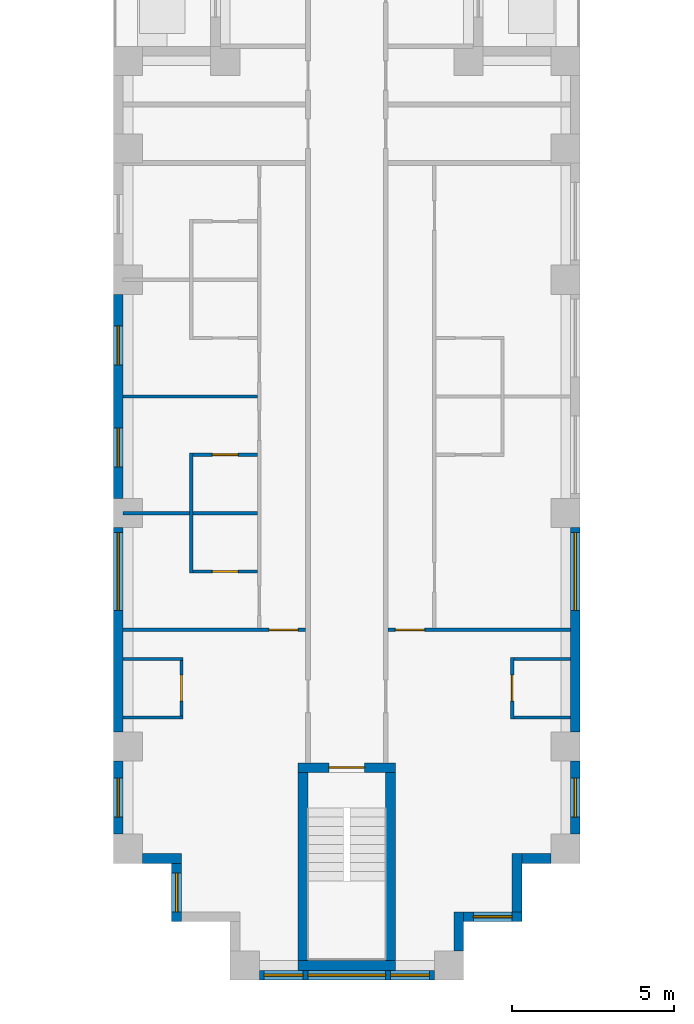
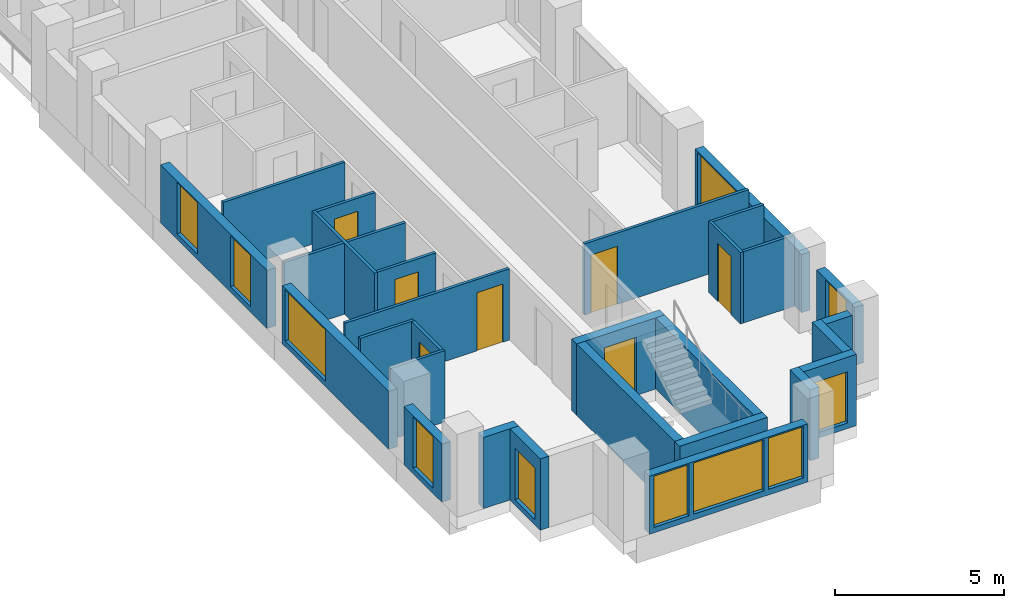
# One storey, part 3 of 13: 29 walls, 11 windows, 7 doors, 18 openings.
"""IFC4 building model written with IfcOpenShell, lengths in metres."""

import ifcopenshell
import ifcopenshell.guid

model = None  # the IFC model being written
_history = None  # IfcOwnerHistory: only IFC2X3 demands one
_inside = {}  # id of a spatial element -> (the spatial element, [elements in it])
_under = {}  # id of a project, library or spatial element -> (it, [spatial elements below it])
_declared = {}  # id of a project -> (the project, [libraries it declares])
_typed = {}  # id of a type object -> (the type object, [elements of that type])
_made_of = {}  # id of a material, layer set ... -> (it, [elements and type objects made of it])


def new_model(schema):
    """Start an empty IFC model of exactly this schema.

    Asked for "IFC4X3", IfcOpenShell would pick the latest addendum, in which some entities
    have other attributes; the version numbers below select the first issue.
    IFC2X3 requires an IfcOwnerHistory on every rooted entity: one is made here for all.
    """
    global model, _history
    if schema == "IFC4X3":
        model = ifcopenshell.file(schema_version=(4, 3, 0, 0))
    else:
        model = ifcopenshell.file(schema=schema)
    _inside.clear()
    _under.clear()
    _declared.clear()
    _typed.clear()
    _made_of.clear()
    _history = None
    if model.schema == "IFC2X3":
        org = make("IfcOrganization", Name="unknown")
        user = make(
            "IfcPersonAndOrganization",
            ThePerson=make("IfcPerson", FamilyName="unknown"),
            TheOrganization=org,
        )
        app = make(
            "IfcApplication",
            ApplicationDeveloper=org,
            Version="unknown",
            ApplicationFullName="unknown",
            ApplicationIdentifier="unknown",
        )
        _history = make(
            "IfcOwnerHistory",
            OwningUser=user,
            OwningApplication=app,
            ChangeAction="ADDED",
            CreationDate=0,
        )
    return model


def make(cls, **values):
    """One entity of the class cls with the attributes given. An attribute that is None is left unset."""
    return model.create_entity(
        cls, **{name: value for name, value in values.items() if value is not None}
    )


def rooted(cls, **values):
    """An entity with a GlobalId (a new one), such as an element, a storey or a relation."""
    return make(cls, GlobalId=ifcopenshell.guid.new(), OwnerHistory=_history, **values)


def si_unit(unit_type, name, prefix=None):
    """IfcSIUnit, for example si_unit("LENGTHUNIT", "METRE", prefix="MILLI")."""
    return make("IfcSIUnit", UnitType=unit_type, Prefix=prefix, Name=name)


def assignment(units):
    """IfcUnitAssignment: the units of a project."""
    return None if units is None else make("IfcUnitAssignment", Units=units)


def point(xyz):
    """IfcCartesianPoint."""
    return None if xyz is None else make("IfcCartesianPoint", Coordinates=xyz)


def direction(xyz):
    """IfcDirection."""
    return None if xyz is None else make("IfcDirection", DirectionRatios=xyz)


def frame(location, z_axis=None, x_axis=None):
    """IfcAxis2Placement3D, a coordinate frame: its origin and axes. An axis left out is left unset."""
    return make(
        "IfcAxis2Placement3D",
        Location=point(location),
        Axis=direction(z_axis),
        RefDirection=direction(x_axis),
    )


def frame_2d(location, x_axis=None):
    """IfcAxis2Placement2D, a coordinate frame in the plane: its origin and x axis."""
    return make(
        "IfcAxis2Placement2D", Location=point(location), RefDirection=direction(x_axis)
    )


def origin():
    """The frame at (0, 0, 0) with its axes left unset."""
    return frame((0.0, 0.0, 0.0))


def place(relative_to, where):
    """IfcLocalPlacement: puts the frame where relative to a parent placement (None: the world)."""
    return make(
        "IfcLocalPlacement", PlacementRelTo=relative_to, RelativePlacement=where
    )


def context(
    kind, dimensions, precision=None, world=None, true_north=None, identifier=None
):
    """IfcGeometricRepresentationContext, for example the 3D "Model" context."""
    return make(
        "IfcGeometricRepresentationContext",
        ContextIdentifier=identifier,
        ContextType=kind,
        CoordinateSpaceDimension=dimensions,
        Precision=precision,
        WorldCoordinateSystem=world,
        TrueNorth=true_north,
    )


def subcontext(parent, identifier, kind, view, scale=None):
    """IfcGeometricRepresentationSubContext, for example "Body" below "Model"."""
    return make(
        "IfcGeometricRepresentationSubContext",
        ContextIdentifier=identifier,
        ContextType=kind,
        ParentContext=parent,
        TargetScale=scale,
        TargetView=view,
    )


def project(units=None, contexts=None):
    """IfcProject with its units and contexts."""
    return rooted(
        "IfcProject",
        Name="project",
        RepresentationContexts=contexts,
        UnitsInContext=assignment(units),
    )


def spatial(cls, under=None, at=None, **own):
    """A site, building, storey or space (cls), placed at a placement, below another one or the project."""
    s = rooted(cls, ObjectPlacement=at, **own)
    if under is not None:
        _under.setdefault(under.id(), (under, []))[1].append(s)
    return s


def profile(cls, at=None, kind="AREA", **sizes):
    """A parametric profile (cls). Its sizes go by their IFC names, for example OverallWidth=200.0."""
    return make(cls, ProfileType=kind, Position=at, **sizes)


def rectangle(**sizes):
    """IfcRectangleProfileDef."""
    return profile("IfcRectangleProfileDef", **sizes)


def extrude(swept, where, along, depth):
    """IfcExtrudedAreaSolid: the profile swept, set in the frame where, extruded along a direction by depth."""
    return make(
        "IfcExtrudedAreaSolid",
        SweptArea=swept,
        Position=where,
        ExtrudedDirection=direction(along),
        Depth=depth,
    )


def shape(context_of_items, identifier, shape_type, items):
    """IfcShapeRepresentation: the items that make up one representation, for example the "Body"."""
    return make(
        "IfcShapeRepresentation",
        ContextOfItems=context_of_items,
        RepresentationIdentifier=identifier,
        RepresentationType=shape_type,
        Items=items,
    )


def material(Name=None, Category=None):
    """IfcMaterial."""
    return make("IfcMaterial", Name=Name, Category=Category)


def layer(
    of_material, thickness, ventilated=None, Name=None, Category=None, Priority=None
):
    """IfcMaterialLayer: one layer of a wall or slab, of a material (None: an air gap)."""
    return make(
        "IfcMaterialLayer",
        Material=of_material,
        LayerThickness=thickness,
        IsVentilated=ventilated,
        Name=Name,
        Category=Category,
        Priority=Priority,
    )


def layer_set(layers, Name=None):
    """IfcMaterialLayerSet."""
    return make("IfcMaterialLayerSet", MaterialLayers=layers, LayerSetName=Name)


def made_of(thing, what):
    """Note that an element or type object is made of a material, layer set ...; save() writes the relation."""
    if what is not None:
        _made_of.setdefault(what.id(), (what, []))[1].append(thing)
    return thing


def type_object(cls, material=None, **own):
    """A type object (cls), such as IfcWallType, which elements share."""
    return made_of(rooted(cls, **own), material)


def element(
    cls,
    number,
    at=None,
    inside=None,
    cuts=None,
    type_object=None,
    material=None,
    context=None,
    identifier="Body",
    shape_type=None,
    held_by="IfcProductDefinitionShape",
    body=None,
    shapes=None,
    **own,
):
    """One element of the class cls, such as IfcWall. Its Tag is "e" and its number.

    at: its placement. inside: the storey or other place that contains it. cuts: it is an
    opening in that element (IfcRelVoidsElement). A single representation is given by context,
    identifier, shape_type and body (its items); several are given by shapes. held_by: the class
    of the entity that holds the representations. save() writes the other relations.
    """
    e = rooted(cls, Tag="e%d" % number, ObjectPlacement=at, **own)
    if body is not None:
        shapes = [shape(context, identifier, shape_type, body)]
    if shapes is not None:
        e.Representation = make(held_by, Representations=shapes)
    if inside is not None:
        _inside.setdefault(inside.id(), (inside, []))[1].append(e)
    if cuts is not None:
        rooted(
            "IfcRelVoidsElement", RelatingBuildingElement=cuts, RelatedOpeningElement=e
        )
    if type_object is not None:
        _typed.setdefault(type_object.id(), (type_object, []))[1].append(e)
    return made_of(e, material)


def fill(opening, filler):
    """IfcRelFillsElement: the door or window that sits in an opening."""
    return rooted(
        "IfcRelFillsElement",
        RelatingOpeningElement=opening,
        RelatedBuildingElement=filler,
    )


def aggregate(whole, parts):
    """IfcRelAggregates: a whole, such as a stair, and the parts it consists of."""
    return rooted("IfcRelAggregates", RelatingObject=whole, RelatedObjects=parts)


def save(model, path):
    """Write the relations noted so far, then the file.

    IfcRelAggregates (storeys below a building ...), IfcRelContainedInSpatialStructure (elements
    in a storey), IfcRelDefinesByType, IfcRelAssociatesMaterial and IfcRelDeclares: one each for
    every whole, place, type object, material and project.
    """
    for whole, parts in _under.values():
        aggregate(whole, parts)
    for where, things in _inside.values():
        rooted(
            "IfcRelContainedInSpatialStructure",
            RelatedElements=things,
            RelatingStructure=where,
        )
    for kind, things in _typed.values():
        rooted("IfcRelDefinesByType", RelatedObjects=things, RelatingType=kind)
    for what, things in _made_of.values():
        rooted("IfcRelAssociatesMaterial", RelatedObjects=things, RelatingMaterial=what)
    for by, libraries in _declared.values():
        rooted("IfcRelDeclares", RelatingContext=by, RelatedDefinitions=libraries)
    model.write(path)


model = new_model("IFC4")

# Units and contexts
model_context = context("Model", 3, precision=1e-05, world=origin(), true_north=direction((0.0, 1.0)))
body_context = subcontext(model_context, "Body", "Model", "MODEL_VIEW")
ifc_project = project(units=[si_unit("LENGTHUNIT", "METRE"), si_unit("AREAUNIT", "SQUARE_METRE"), si_unit("VOLUMEUNIT", "CUBIC_METRE"), si_unit("PLANEANGLEUNIT", "RADIAN"), si_unit("MASSUNIT", "GRAM", prefix="KILO")], contexts=[model_context])

# Site, building, storey
site_placement = place(None, origin())
site = spatial("IfcSite", under=ifc_project, at=site_placement, CompositionType="ELEMENT")
building_placement = place(site_placement, origin())
building = spatial("IfcBuilding", under=site, at=building_placement, Name="Fustian Cross Tower", CompositionType="ELEMENT")
storey_placement = place(building_placement, frame((0.0, 0.0, 105.89990234375)))
storey = spatial("IfcBuildingStorey", under=building, at=storey_placement, Name="L33", CompositionType="ELEMENT", Elevation=105.89990234375)

# Walls
ifc_material_1 = material(Name="Plasterboard on steel stud", Category="steel")
ifc_layer_1 = layer(ifc_material_1, 0.10009765625)
ifc_layer_set_1 = layer_set([ifc_layer_1], Name="Plasterboard on steel stud")
wall_type_1 = type_object("IfcWallType", Name="PARTITION 100 STUD", PredefinedType="PARTITIONING", material=ifc_layer_set_1)
for number, where, z_axis, x_axis, name in (
    (1, (-6.89990234375, -35.10009765625, 0.0), (0.0, 0.0, 1.0), (1.0, 0.0, 0.0), "Partition 15"),
    (2, (-6.89990234375, -33.300048828125, 0.0), (0.0, 0.0, 1.0), (1.0, 0.0, 0.0), "Partition 16"),
):
    element("IfcWall", number, at=place(storey_placement, frame(where, z_axis=z_axis, x_axis=x_axis)), inside=storey, type_object=wall_type_1, Name=name, PredefinedType="PARTITIONING", context=body_context, shape_type="SweptSolid", body=[
        extrude(rectangle(XDim=1.849853515625, YDim=0.10009765625, at=frame_2d((0.9248046875, 0.0))), origin(), (0.0, 0.0, 1.0), 2.5751953125),
    ])

# Wall, opening, door
wall_1_placement = place(storey_placement, frame((-6.89990234375, -32.39990234375, 0.0), z_axis=(0.0, 0.0, 1.0), x_axis=(1.0, 0.0, 0.0)))
wall_1 = element("IfcWall", 3, at=wall_1_placement, inside=storey, type_object=wall_type_1, Name="Partition 17", PredefinedType="PARTITIONING", context=body_context, shape_type="SweptSolid", body=[
    extrude(rectangle(XDim=5.625, YDim=0.10009765625, at=frame_2d((2.8125, 0.0))), origin(), (0.0, 0.0, 1.0), 2.5751953125),
])
opening_1_placement = place(wall_1_placement, frame((4.5, 0.0, 0.0)))
opening_1 = element("IfcOpeningElement", 4, at=opening_1_placement, cuts=wall_1, Name="Opening D15056", PredefinedType="OPENING", context=body_context, shape_type="SweptSolid", body=[
    extrude(rectangle(XDim=0.89990234375, YDim=2.10009765625, at=frame_2d((0.449951171875, 1.050048828125))), frame((0.0, 0.06005859375, 0.0), z_axis=(0.0, -1.0, 0.0), x_axis=(1.0, 0.0, 0.0)), (0.0, 0.0, 1.0), 0.1201171875),
])
ifc_material_2 = material(Name="Painted timber", Category="wood")
door_type_1 = type_object("IfcDoorType", Name="SWING DOOR 900", OperationType="SINGLE_SWING_LEFT", PredefinedType="DOOR", material=ifc_material_2)
door_1_placement = place(opening_1_placement, origin())
door_1 = element("IfcDoor", 5, at=door_1_placement, inside=storey, type_object=door_type_1, Name="Door D15056", OperationType="SINGLE_SWING_LEFT", OverallHeight=2.10009765625, OverallWidth=0.89990234375, PredefinedType="DOOR", context=body_context, shape_type="SweptSolid", body=[
    extrude(rectangle(XDim=0.89990234375, YDim=2.10009765625, at=frame_2d((0.449951171875, 1.050048828125))), frame((0.0, 0.02490234375, 0.0), z_axis=(0.0, -1.0, 0.0), x_axis=(1.0, 0.0, 0.0)), (0.0, 0.0, 1.0), 0.050048828125),
])
fill(opening_1, door_1)

# Walls
for number, where, z_axis, x_axis, name in (
    (6, (-6.89990234375, -28.800048828125, 0.0), (0.0, 0.0, 1.0), (1.0, 0.0, 0.0), "Partition 18"),
    (7, (-6.89990234375, -25.199951171875, 0.0), (0.0, 0.0, 1.0), (1.0, 0.0, 0.0), "Partition 19"),
):
    element("IfcWall", number, at=place(storey_placement, frame(where, z_axis=z_axis, x_axis=x_axis)), inside=storey, type_object=wall_type_1, Name=name, PredefinedType="PARTITIONING", context=body_context, shape_type="SweptSolid", body=[
        extrude(rectangle(XDim=4.14990234375, YDim=0.10009765625, at=frame_2d((2.074951171875, 0.0))), origin(), (0.0, 0.0, 1.0), 2.5751953125),
    ])

# Wall, opening, door
wall_2_placement = place(storey_placement, frame((-5.10009765625, -35.050048828125, 0.0), z_axis=(0.0, 0.0, 1.0), x_axis=(0.0, 1.0, 0.0)))
wall_2 = element("IfcWall", 8, at=wall_2_placement, inside=storey, type_object=wall_type_1, Name="Partition 24", PredefinedType="PARTITIONING", context=body_context, shape_type="SweptSolid", body=[
    extrude(rectangle(XDim=1.699951171875, YDim=0.10009765625, at=frame_2d((0.85009765625, 0.0))), origin(), (0.0, 0.0, 1.0), 2.5751953125),
])
opening_2_placement = place(wall_2_placement, frame((0.449951171875, 0.0, 0.0)))
opening_2 = element("IfcOpeningElement", 9, at=opening_2_placement, cuts=wall_2, Name="Opening D15050", PredefinedType="OPENING", context=body_context, shape_type="SweptSolid", body=[
    extrude(rectangle(XDim=0.800048828125, YDim=2.10009765625, at=frame_2d((0.39990234375, 1.050048828125))), frame((0.0, 0.06005859375, 0.0), z_axis=(0.0, -1.0, 0.0), x_axis=(1.0, 0.0, 0.0)), (0.0, 0.0, 1.0), 0.1201171875),
])
ifc_material_3 = material(Name="Painted timber", Category="wood")
door_type_2 = type_object("IfcDoorType", Name="SWING DOOR 800", OperationType="SINGLE_SWING_LEFT", PredefinedType="DOOR", material=ifc_material_3)
door_2_placement = place(opening_2_placement, origin())
door_2 = element("IfcDoor", 10, at=door_2_placement, inside=storey, type_object=door_type_2, Name="Door D15050", OperationType="SINGLE_SWING_RIGHT", OverallHeight=2.10009765625, OverallWidth=0.800048828125, PredefinedType="DOOR", context=body_context, shape_type="SweptSolid", body=[
    extrude(rectangle(XDim=0.800048828125, YDim=2.10009765625, at=frame_2d((0.39990234375, 1.050048828125))), frame((0.0, 0.02490234375, 0.0), z_axis=(0.0, -1.0, 0.0), x_axis=(1.0, 0.0, 0.0)), (0.0, 0.0, 1.0), 0.050048828125),
])
fill(opening_2, door_2)

# Wall
wall_3_placement = place(storey_placement, frame((-4.800048828125, -30.64990234375, 0.0), z_axis=(0.0, 0.0, 1.0), x_axis=(0.0, 1.0, 0.0)))
element("IfcWall", 11, at=wall_3_placement, inside=storey, type_object=wall_type_1, Name="Partition 25", PredefinedType="PARTITIONING", context=body_context, shape_type="SweptSolid", body=[
    extrude(rectangle(XDim=3.699951171875, YDim=0.10009765625, at=frame_2d((1.85009765625, 0.0))), origin(), (0.0, 0.0, 1.0), 2.5751953125),
])

# Wall, opening, door
wall_4_placement = place(storey_placement, frame((-4.75, -30.60009765625, 0.0), z_axis=(0.0, 0.0, 1.0), x_axis=(1.0, 0.0, 0.0)))
wall_4 = element("IfcWall", 12, at=wall_4_placement, inside=storey, type_object=wall_type_1, Name="Partition 26", PredefinedType="PARTITIONING", context=body_context, shape_type="SweptSolid", body=[
    extrude(rectangle(XDim=2.0, YDim=0.10009765625, at=frame_2d((1.0, 0.0))), origin(), (0.0, 0.0, 1.0), 2.5751953125),
])
opening_3_placement = place(wall_4_placement, frame((0.60009765625, 0.0, 0.0)))
opening_3 = element("IfcOpeningElement", 13, at=opening_3_placement, cuts=wall_4, Name="Opening D15060", PredefinedType="OPENING", context=body_context, shape_type="SweptSolid", body=[
    extrude(rectangle(XDim=0.800048828125, YDim=2.10009765625, at=frame_2d((0.39990234375, 1.050048828125))), frame((0.0, 0.06005859375, 0.0), z_axis=(0.0, -1.0, 0.0), x_axis=(1.0, 0.0, 0.0)), (0.0, 0.0, 1.0), 0.1201171875),
])
door_3_placement = place(opening_3_placement, origin())
door_3 = element("IfcDoor", 14, at=door_3_placement, inside=storey, type_object=door_type_2, Name="Door D15060", OperationType="SINGLE_SWING_LEFT", OverallHeight=2.10009765625, OverallWidth=0.800048828125, PredefinedType="DOOR", context=body_context, shape_type="SweptSolid", body=[
    extrude(rectangle(XDim=0.800048828125, YDim=2.10009765625, at=frame_2d((0.39990234375, 1.050048828125))), frame((0.0, 0.02490234375, 0.0), z_axis=(0.0, -1.0, 0.0), x_axis=(1.0, 0.0, 0.0)), (0.0, 0.0, 1.0), 0.050048828125),
])
fill(opening_3, door_3)

wall_5_placement = place(storey_placement, frame((-4.75, -27.0, 0.0), z_axis=(0.0, 0.0, 1.0), x_axis=(1.0, 0.0, 0.0)))
wall_5 = element("IfcWall", 15, at=wall_5_placement, inside=storey, type_object=wall_type_1, Name="Partition 27", PredefinedType="PARTITIONING", context=body_context, shape_type="SweptSolid", body=[
    extrude(rectangle(XDim=2.0, YDim=0.10009765625, at=frame_2d((1.0, 0.0))), origin(), (0.0, 0.0, 1.0), 2.5751953125),
])
opening_4_placement = place(wall_5_placement, frame((0.60009765625, 0.0, 0.0)))
opening_4 = element("IfcOpeningElement", 16, at=opening_4_placement, cuts=wall_5, Name="Opening D15059", PredefinedType="OPENING", context=body_context, shape_type="SweptSolid", body=[
    extrude(rectangle(XDim=0.800048828125, YDim=2.10009765625, at=frame_2d((0.39990234375, 1.050048828125))), frame((0.0, 0.06005859375, 0.0), z_axis=(0.0, -1.0, 0.0), x_axis=(1.0, 0.0, 0.0)), (0.0, 0.0, 1.0), 0.1201171875),
])
door_4_placement = place(opening_4_placement, frame((0.800048828125, 0.0, 0.0), z_axis=(0.0, 0.0, 1.0), x_axis=(-1.0, 0.0, 0.0)))
door_4 = element("IfcDoor", 17, at=door_4_placement, inside=storey, type_object=door_type_2, Name="Door D15059", OperationType="SINGLE_SWING_RIGHT", OverallHeight=2.10009765625, OverallWidth=0.800048828125, PredefinedType="DOOR", context=body_context, shape_type="SweptSolid", body=[
    extrude(rectangle(XDim=0.800048828125, YDim=2.10009765625, at=frame_2d((0.39990234375, 1.050048828125))), frame((0.0, 0.02490234375, 0.0), z_axis=(0.0, -1.0, 0.0), x_axis=(1.0, 0.0, 0.0)), (0.0, 0.0, 1.0), 0.050048828125),
])
fill(opening_4, door_4)

wall_6_placement = place(storey_placement, frame((1.27490234375, -32.39990234375, 0.0), z_axis=(0.0, 0.0, 1.0), x_axis=(1.0, 0.0, 0.0)))
wall_6 = element("IfcWall", 18, at=wall_6_placement, inside=storey, type_object=wall_type_1, Name="Partition 44", PredefinedType="PARTITIONING", context=body_context, shape_type="SweptSolid", body=[
    extrude(rectangle(XDim=5.625, YDim=0.10009765625, at=frame_2d((2.8125, 0.0))), origin(), (0.0, 0.0, 1.0), 2.5751953125),
])
opening_5_placement = place(wall_6_placement, frame((0.22509765625, 0.0, 0.0)))
opening_5 = element("IfcOpeningElement", 19, at=opening_5_placement, cuts=wall_6, Name="Opening D15042", PredefinedType="OPENING", context=body_context, shape_type="SweptSolid", body=[
    extrude(rectangle(XDim=0.89990234375, YDim=2.10009765625, at=frame_2d((0.449951171875, 1.050048828125))), frame((0.0, 0.06005859375, 0.0), z_axis=(0.0, -1.0, 0.0), x_axis=(1.0, 0.0, 0.0)), (0.0, 0.0, 1.0), 0.1201171875),
])
door_5_placement = place(opening_5_placement, origin())
door_5 = element("IfcDoor", 20, at=door_5_placement, inside=storey, type_object=door_type_1, Name="Door D15042", OperationType="SINGLE_SWING_LEFT", OverallHeight=2.10009765625, OverallWidth=0.89990234375, PredefinedType="DOOR", context=body_context, shape_type="SweptSolid", body=[
    extrude(rectangle(XDim=0.89990234375, YDim=2.10009765625, at=frame_2d((0.449951171875, 1.050048828125))), frame((0.0, 0.02490234375, 0.0), z_axis=(0.0, -1.0, 0.0), x_axis=(1.0, 0.0, 0.0)), (0.0, 0.0, 1.0), 0.050048828125),
])
fill(opening_5, door_5)

wall_7_placement = place(storey_placement, frame((5.10009765625, -35.14990234375, 0.0), z_axis=(0.0, 0.0, 1.0), x_axis=(0.0, 1.0, 0.0)))
wall_7 = element("IfcWall", 21, at=wall_7_placement, inside=storey, type_object=wall_type_1, Name="Partition 66", PredefinedType="PARTITIONING", context=body_context, shape_type="SweptSolid", body=[
    extrude(rectangle(XDim=1.89990234375, YDim=0.10009765625, at=frame_2d((0.949951171875, 0.0))), origin(), (0.0, 0.0, 1.0), 2.5751953125),
])
opening_6_placement = place(wall_7_placement, frame((0.550048828125, 0.0, 0.0)))
opening_6 = element("IfcOpeningElement", 22, at=opening_6_placement, cuts=wall_7, Name="Opening D15040", PredefinedType="OPENING", context=body_context, shape_type="SweptSolid", body=[
    extrude(rectangle(XDim=0.800048828125, YDim=2.10009765625, at=frame_2d((0.39990234375, 1.050048828125))), frame((0.0, 0.06005859375, 0.0), z_axis=(0.0, -1.0, 0.0), x_axis=(1.0, 0.0, 0.0)), (0.0, 0.0, 1.0), 0.1201171875),
])
door_6_placement = place(opening_6_placement, frame((0.800048828125, 0.0, 0.0), z_axis=(0.0, 0.0, 1.0), x_axis=(-1.0, 0.0, 0.0)))
door_6 = element("IfcDoor", 23, at=door_6_placement, inside=storey, type_object=door_type_2, Name="Door D15040", OperationType="SINGLE_SWING_LEFT", OverallHeight=2.10009765625, OverallWidth=0.800048828125, PredefinedType="DOOR", context=body_context, shape_type="SweptSolid", body=[
    extrude(rectangle(XDim=0.800048828125, YDim=2.10009765625, at=frame_2d((0.39990234375, 1.050048828125))), frame((0.0, 0.02490234375, 0.0), z_axis=(0.0, -1.0, 0.0), x_axis=(1.0, 0.0, 0.0)), (0.0, 0.0, 1.0), 0.050048828125),
])
fill(opening_6, door_6)

# Walls
for number, where, z_axis, x_axis, name in (
    (24, (5.14990234375, -35.10009765625, 0.0), (0.0, 0.0, 1.0), (1.0, 0.0, 0.0), "Partition 67"),
    (25, (5.14990234375, -33.300048828125, 0.0), (0.0, 0.0, 1.0), (1.0, 0.0, 0.0), "Partition 68"),
):
    element("IfcWall", number, at=place(storey_placement, frame(where, z_axis=z_axis, x_axis=x_axis)), inside=storey, type_object=wall_type_1, Name=name, PredefinedType="PARTITIONING", context=body_context, shape_type="SweptSolid", body=[
        extrude(rectangle(XDim=1.75, YDim=0.10009765625, at=frame_2d((0.875, 0.0))), origin(), (0.0, 0.0, 1.0), 2.5751953125),
    ])

# Wall, opening, door
ifc_material_4 = material(Name="Concrete C50/60", Category="concrete")
ifc_layer_2 = layer(ifc_material_4, 0.300048828125)
ifc_layer_set_2 = layer_set([ifc_layer_2], Name="Concrete C50/60")
wall_type_2 = type_object("IfcWallType", Name="STAIR ENCLOSURE WALL 300 C50/60", PredefinedType="SHEAR", material=ifc_layer_set_2)
wall_8_placement = place(storey_placement, frame((-1.5, -36.64990234375, 0.0), z_axis=(0.0, 0.0, 1.0), x_axis=(1.0, 0.0, 0.0)))
wall_8 = element("IfcWall", 26, at=wall_8_placement, inside=storey, type_object=wall_type_2, Name="Stair enclosure wall", PredefinedType="SHEAR", context=body_context, shape_type="SweptSolid", body=[
    extrude(rectangle(XDim=3.0, YDim=0.300048828125, at=frame_2d((1.5, 0.0))), origin(), (0.0, 0.0, 1.0), 2.5751953125),
])
opening_7_placement = place(wall_8_placement, frame((0.949951171875, 0.0, 0.0)))
opening_7 = element("IfcOpeningElement", 27, at=opening_7_placement, cuts=wall_8, Name="Opening CD-10-31", PredefinedType="OPENING", context=body_context, shape_type="SweptSolid", body=[
    extrude(rectangle(XDim=1.10009765625, YDim=2.10009765625, at=frame_2d((0.550048828125, 1.050048828125))), frame((0.0, 0.159912109375, 0.0), z_axis=(0.0, -1.0, 0.0), x_axis=(1.0, 0.0, 0.0)), (0.0, 0.0, 1.0), 0.320068359375),
])
ifc_material_5 = material(Name="Steel", Category="steel")
door_type_3 = type_object("IfcDoorType", Name="FIRE DOOR FD60S 1100X2100", OperationType="SINGLE_SWING_LEFT", PredefinedType="DOOR", material=ifc_material_5)
door_7_placement = place(opening_7_placement, frame((1.10009765625, 0.0, 0.0), z_axis=(0.0, 0.0, 1.0), x_axis=(-1.0, 0.0, 0.0)))
door_7 = element("IfcDoor", 28, at=door_7_placement, inside=storey, type_object=door_type_3, Name="Core door CD-10-31", OperationType="SINGLE_SWING_RIGHT", OverallHeight=2.10009765625, OverallWidth=1.10009765625, PredefinedType="DOOR", context=body_context, shape_type="SweptSolid", body=[
    extrude(rectangle(XDim=1.10009765625, YDim=2.10009765625, at=frame_2d((0.550048828125, 1.050048828125))), frame((0.0, 0.02490234375, 0.0), z_axis=(0.0, -1.0, 0.0), x_axis=(1.0, 0.0, 0.0)), (0.0, 0.0, 1.0), 0.050048828125),
])
fill(opening_7, door_7)

# Walls
wall_9_placement = place(storey_placement, frame((-1.5, -42.75, 0.0), z_axis=(0.0, 0.0, 1.0), x_axis=(1.0, 0.0, 0.0)))
element("IfcWall", 29, at=wall_9_placement, inside=storey, type_object=wall_type_2, Name="Stair enclosure wall", PredefinedType="SHEAR", context=body_context, shape_type="SweptSolid", body=[
    extrude(rectangle(XDim=3.0, YDim=0.300048828125, at=frame_2d((1.5, 0.0))), origin(), (0.0, 0.0, 1.0), 2.5751953125),
])
for number, where, z_axis, x_axis, name in (
    (30, (-1.35009765625, -36.800048828125, 0.0), (0.0, 0.0, 1.0), (0.0, -1.0, 0.0), "Stair enclosure wall"),
    (31, (1.35009765625, -36.800048828125, 0.0), (0.0, 0.0, 1.0), (0.0, -1.0, 0.0), "Stair enclosure wall"),
):
    element("IfcWall", number, at=place(storey_placement, frame(where, z_axis=z_axis, x_axis=x_axis)), inside=storey, type_object=wall_type_2, Name=name, PredefinedType="SHEAR", context=body_context, shape_type="SweptSolid", body=[
        extrude(rectangle(XDim=5.800048828125, YDim=0.300048828125, at=frame_2d((2.89990234375, 0.0))), origin(), (0.0, 0.0, 1.0), 2.5751953125),
    ])

# Wall, openings, windows
ifc_material_6 = material(Name="Dark aluminium cladding on insulated backing wall", Category="aluminium")
ifc_layer_3 = layer(ifc_material_6, 0.300048828125)
ifc_layer_set_3 = layer_set([ifc_layer_3], Name="Dark aluminium cladding on insulated backing wall")
wall_type_3 = type_object("IfcWallType", Name="XW1 EXTERNAL WALL 300", PredefinedType="SOLIDWALL", material=ifc_layer_set_3)
wall_10_placement = place(storey_placement, frame((-7.050048828125, -22.050048828125, 0.0), z_axis=(0.0, 0.0, 1.0), x_axis=(0.0, -1.0, 0.0)))
wall_10 = element("IfcWall", 32, at=wall_10_placement, inside=storey, type_object=wall_type_3, Name="External wall", PredefinedType="SOLIDWALL", context=body_context, shape_type="SweptSolid", body=[
    extrude(rectangle(XDim=6.300048828125, YDim=0.300048828125, at=frame_2d((3.14990234375, 0.0))), origin(), (0.0, 0.0, 1.0), 2.10009765625),
])
opening_8_placement = place(wall_10_placement, frame((0.97509765625, 0.0, 0.199951171875)))
opening_8 = element("IfcOpeningElement", 33, at=opening_8_placement, cuts=wall_10, Name="Opening WN3", PredefinedType="OPENING", context=body_context, shape_type="SweptSolid", body=[
    extrude(rectangle(XDim=1.199951171875, YDim=1.85009765625, at=frame_2d((0.60009765625, 0.925048828125))), frame((0.0, 0.159912109375, 0.0), z_axis=(0.0, -1.0, 0.0), x_axis=(1.0, 0.0, 0.0)), (0.0, 0.0, 1.0), 0.320068359375),
])
opening_9_placement = place(wall_10_placement, frame((4.125, 0.0, 0.199951171875)))
opening_9 = element("IfcOpeningElement", 34, at=opening_9_placement, cuts=wall_10, Name="Opening WN3", PredefinedType="OPENING", context=body_context, shape_type="SweptSolid", body=[
    extrude(rectangle(XDim=1.199951171875, YDim=1.85009765625, at=frame_2d((0.60009765625, 0.925048828125))), frame((0.0, 0.159912109375, 0.0), z_axis=(0.0, -1.0, 0.0), x_axis=(1.0, 0.0, 0.0)), (0.0, 0.0, 1.0), 0.320068359375),
])
ifc_material_7 = material(Name="Dark anodised aluminium and double glazing", Category="aluminium")
window_type_1 = type_object("IfcWindowType", Name="WN3 WINDOW 1200X1850", PartitioningType="SINGLE_PANEL", PredefinedType="WINDOW", material=ifc_material_7)
window_1_placement = place(opening_8_placement, origin())
window_1 = element("IfcWindow", 35, at=window_1_placement, inside=storey, type_object=window_type_1, Name="Window", OverallHeight=1.85009765625, OverallWidth=1.199951171875, PartitioningType="SINGLE_PANEL", PredefinedType="WINDOW", context=body_context, shape_type="SweptSolid", body=[
    extrude(rectangle(XDim=1.199951171875, YDim=1.85009765625, at=frame_2d((0.60009765625, 0.925048828125))), frame((0.0, 0.030029296875, 0.0), z_axis=(0.0, -1.0, 0.0), x_axis=(1.0, 0.0, 0.0)), (0.0, 0.0, 1.0), 0.06005859375),
])
fill(opening_8, window_1)
window_2_placement = place(opening_9_placement, origin())
window_2 = element("IfcWindow", 36, at=window_2_placement, inside=storey, type_object=window_type_1, Name="Window", OverallHeight=1.85009765625, OverallWidth=1.199951171875, PartitioningType="SINGLE_PANEL", PredefinedType="WINDOW", context=body_context, shape_type="SweptSolid", body=[
    extrude(rectangle(XDim=1.199951171875, YDim=1.85009765625, at=frame_2d((0.60009765625, 0.925048828125))), frame((0.0, 0.030029296875, 0.0), z_axis=(0.0, -1.0, 0.0), x_axis=(1.0, 0.0, 0.0)), (0.0, 0.0, 1.0), 0.06005859375),
])
fill(opening_9, window_2)

# Wall, opening, window
wall_11_placement = place(storey_placement, frame((-7.050048828125, -29.25, 0.0), z_axis=(0.0, 0.0, 1.0), x_axis=(0.0, -1.0, 0.0)))
wall_11 = element("IfcWall", 37, at=wall_11_placement, inside=storey, type_object=wall_type_3, Name="External wall", PredefinedType="SOLIDWALL", context=body_context, shape_type="SweptSolid", body=[
    extrude(rectangle(XDim=6.300048828125, YDim=0.300048828125, at=frame_2d((3.14990234375, 0.0))), origin(), (0.0, 0.0, 1.0), 2.10009765625),
])
opening_10_placement = place(wall_11_placement, frame((0.14990234375, 0.0, 0.199951171875)))
opening_10 = element("IfcOpeningElement", 38, at=opening_10_placement, cuts=wall_11, Name="Opening WN1", PredefinedType="OPENING", context=body_context, shape_type="SweptSolid", body=[
    extrude(rectangle(XDim=2.39990234375, YDim=1.85009765625, at=frame_2d((1.199951171875, 0.925048828125))), frame((0.0, 0.159912109375, 0.0), z_axis=(0.0, -1.0, 0.0), x_axis=(1.0, 0.0, 0.0)), (0.0, 0.0, 1.0), 0.320068359375),
])
ifc_material_8 = material(Name="Dark anodised aluminium and double glazing", Category="aluminium")
window_type_2 = type_object("IfcWindowType", Name="WN1 WINDOW 2400X1850", PartitioningType="SINGLE_PANEL", PredefinedType="WINDOW", material=ifc_material_8)
window_3_placement = place(opening_10_placement, origin())
window_3 = element("IfcWindow", 39, at=window_3_placement, inside=storey, type_object=window_type_2, Name="Window", OverallHeight=1.85009765625, OverallWidth=2.39990234375, PartitioningType="SINGLE_PANEL", PredefinedType="WINDOW", context=body_context, shape_type="SweptSolid", body=[
    extrude(rectangle(XDim=2.39990234375, YDim=1.85009765625, at=frame_2d((1.199951171875, 0.925048828125))), frame((0.0, 0.030029296875, 0.0), z_axis=(0.0, -1.0, 0.0), x_axis=(1.0, 0.0, 0.0)), (0.0, 0.0, 1.0), 0.06005859375),
])
fill(opening_10, window_3)

wall_12_placement = place(storey_placement, frame((-7.050048828125, -36.449951171875, 0.0), z_axis=(0.0, 0.0, 1.0), x_axis=(0.0, -1.0, 0.0)))
wall_12 = element("IfcWall", 40, at=wall_12_placement, inside=storey, type_object=wall_type_3, Name="External wall", PredefinedType="SOLIDWALL", context=body_context, shape_type="SweptSolid", body=[
    extrude(rectangle(XDim=2.25, YDim=0.300048828125, at=frame_2d((1.125, 0.0))), origin(), (0.0, 0.0, 1.0), 2.10009765625),
])
opening_11_placement = place(wall_12_placement, frame((0.52490234375, 0.0, 0.199951171875)))
opening_11 = element("IfcOpeningElement", 41, at=opening_11_placement, cuts=wall_12, Name="Opening WN3", PredefinedType="OPENING", context=body_context, shape_type="SweptSolid", body=[
    extrude(rectangle(XDim=1.199951171875, YDim=1.85009765625, at=frame_2d((0.60009765625, 0.925048828125))), frame((0.0, 0.159912109375, 0.0), z_axis=(0.0, -1.0, 0.0), x_axis=(1.0, 0.0, 0.0)), (0.0, 0.0, 1.0), 0.320068359375),
])
window_4_placement = place(opening_11_placement, origin())
window_4 = element("IfcWindow", 42, at=window_4_placement, inside=storey, type_object=window_type_1, Name="Window", OverallHeight=1.85009765625, OverallWidth=1.199951171875, PartitioningType="SINGLE_PANEL", PredefinedType="WINDOW", context=body_context, shape_type="SweptSolid", body=[
    extrude(rectangle(XDim=1.199951171875, YDim=1.85009765625, at=frame_2d((0.60009765625, 0.925048828125))), frame((0.0, 0.030029296875, 0.0), z_axis=(0.0, -1.0, 0.0), x_axis=(1.0, 0.0, 0.0)), (0.0, 0.0, 1.0), 0.06005859375),
])
fill(opening_11, window_4)

# Wall
wall_13_placement = place(storey_placement, frame((-6.300048828125, -39.449951171875, 0.0), z_axis=(0.0, 0.0, 1.0), x_axis=(1.0, 0.0, 0.0)))
element("IfcWall", 43, at=wall_13_placement, inside=storey, type_object=wall_type_3, Name="External wall", PredefinedType="SOLIDWALL", context=body_context, shape_type="SweptSolid", body=[
    extrude(rectangle(XDim=1.199951171875, YDim=0.300048828125, at=frame_2d((0.60009765625, 0.0))), origin(), (0.0, 0.0, 1.0), 2.5751953125),
])

# Wall, opening, window
wall_14_placement = place(storey_placement, frame((-5.25, -39.60009765625, 0.0), z_axis=(0.0, 0.0, 1.0), x_axis=(0.0, -1.0, 0.0)))
wall_14 = element("IfcWall", 44, at=wall_14_placement, inside=storey, type_object=wall_type_3, Name="External wall", PredefinedType="SOLIDWALL", context=body_context, shape_type="SweptSolid", body=[
    extrude(rectangle(XDim=1.7998046875, YDim=0.300048828125, at=frame_2d((0.89990234375, 0.0))), origin(), (0.0, 0.0, 1.0), 2.5751953125),
])
opening_12_placement = place(wall_14_placement, frame((0.300048828125, 0.0, 0.199951171875)))
opening_12 = element("IfcOpeningElement", 45, at=opening_12_placement, cuts=wall_14, Name="Opening WN3", PredefinedType="OPENING", context=body_context, shape_type="SweptSolid", body=[
    extrude(rectangle(XDim=1.199951171875, YDim=1.85009765625, at=frame_2d((0.60009765625, 0.925048828125))), frame((0.0, 0.159912109375, 0.0), z_axis=(0.0, -1.0, 0.0), x_axis=(1.0, 0.0, 0.0)), (0.0, 0.0, 1.0), 0.320068359375),
])
window_5_placement = place(opening_12_placement, origin())
window_5 = element("IfcWindow", 46, at=window_5_placement, inside=storey, type_object=window_type_1, Name="Window", OverallHeight=1.85009765625, OverallWidth=1.199951171875, PartitioningType="SINGLE_PANEL", PredefinedType="WINDOW", context=body_context, shape_type="SweptSolid", body=[
    extrude(rectangle(XDim=1.199951171875, YDim=1.85009765625, at=frame_2d((0.60009765625, 0.925048828125))), frame((0.0, 0.030029296875, 0.0), z_axis=(0.0, -1.0, 0.0), x_axis=(1.0, 0.0, 0.0)), (0.0, 0.0, 1.0), 0.06005859375),
])
fill(opening_12, window_5)

# Wall, openings, windows
wall_15_placement = place(storey_placement, frame((-2.699951171875, -43.050048828125, 0.0), z_axis=(0.0, 0.0, 1.0), x_axis=(1.0, 0.0, 0.0)))
wall_15 = element("IfcWall", 47, at=wall_15_placement, inside=storey, type_object=wall_type_3, Name="External wall", PredefinedType="SOLIDWALL", context=body_context, shape_type="SweptSolid", body=[
    extrude(rectangle(XDim=5.39990234375, YDim=0.300048828125, at=frame_2d((2.699951171875, 0.0))), origin(), (0.0, 0.0, 1.0), 2.10009765625),
])
opening_13_placement = place(wall_15_placement, frame((1.5, 0.0, 0.199951171875)))
opening_13 = element("IfcOpeningElement", 48, at=opening_13_placement, cuts=wall_15, Name="Opening WN1", PredefinedType="OPENING", context=body_context, shape_type="SweptSolid", body=[
    extrude(rectangle(XDim=2.39990234375, YDim=1.85009765625, at=frame_2d((1.199951171875, 0.925048828125))), frame((0.0, 0.159912109375, 0.0), z_axis=(0.0, -1.0, 0.0), x_axis=(1.0, 0.0, 0.0)), (0.0, 0.0, 1.0), 0.320068359375),
])
opening_14_placement = place(wall_15_placement, frame((0.14990234375, 0.0, 0.199951171875)))
opening_14 = element("IfcOpeningElement", 49, at=opening_14_placement, cuts=wall_15, Name="Opening WN3", PredefinedType="OPENING", context=body_context, shape_type="SweptSolid", body=[
    extrude(rectangle(XDim=1.199951171875, YDim=1.85009765625, at=frame_2d((0.60009765625, 0.925048828125))), frame((0.0, 0.159912109375, 0.0), z_axis=(0.0, -1.0, 0.0), x_axis=(1.0, 0.0, 0.0)), (0.0, 0.0, 1.0), 0.320068359375),
])
opening_15_placement = place(wall_15_placement, frame((4.050048828125, 0.0, 0.199951171875)))
opening_15 = element("IfcOpeningElement", 50, at=opening_15_placement, cuts=wall_15, Name="Opening WN3", PredefinedType="OPENING", context=body_context, shape_type="SweptSolid", body=[
    extrude(rectangle(XDim=1.199951171875, YDim=1.85009765625, at=frame_2d((0.60009765625, 0.925048828125))), frame((0.0, 0.159912109375, 0.0), z_axis=(0.0, -1.0, 0.0), x_axis=(1.0, 0.0, 0.0)), (0.0, 0.0, 1.0), 0.320068359375),
])
window_6_placement = place(opening_13_placement, origin())
window_6 = element("IfcWindow", 51, at=window_6_placement, inside=storey, type_object=window_type_2, Name="Window", OverallHeight=1.85009765625, OverallWidth=2.39990234375, PartitioningType="SINGLE_PANEL", PredefinedType="WINDOW", context=body_context, shape_type="SweptSolid", body=[
    extrude(rectangle(XDim=2.39990234375, YDim=1.85009765625, at=frame_2d((1.199951171875, 0.925048828125))), frame((0.0, 0.030029296875, 0.0), z_axis=(0.0, -1.0, 0.0), x_axis=(1.0, 0.0, 0.0)), (0.0, 0.0, 1.0), 0.06005859375),
])
fill(opening_13, window_6)
window_7_placement = place(opening_14_placement, origin())
window_7 = element("IfcWindow", 52, at=window_7_placement, inside=storey, type_object=window_type_1, Name="Window", OverallHeight=1.85009765625, OverallWidth=1.199951171875, PartitioningType="SINGLE_PANEL", PredefinedType="WINDOW", context=body_context, shape_type="SweptSolid", body=[
    extrude(rectangle(XDim=1.199951171875, YDim=1.85009765625, at=frame_2d((0.60009765625, 0.925048828125))), frame((0.0, 0.030029296875, 0.0), z_axis=(0.0, -1.0, 0.0), x_axis=(1.0, 0.0, 0.0)), (0.0, 0.0, 1.0), 0.06005859375),
])
fill(opening_14, window_7)
window_8_placement = place(opening_15_placement, origin())
window_8 = element("IfcWindow", 53, at=window_8_placement, inside=storey, type_object=window_type_1, Name="Window", OverallHeight=1.85009765625, OverallWidth=1.199951171875, PartitioningType="SINGLE_PANEL", PredefinedType="WINDOW", context=body_context, shape_type="SweptSolid", body=[
    extrude(rectangle(XDim=1.199951171875, YDim=1.85009765625, at=frame_2d((0.60009765625, 0.925048828125))), frame((0.0, 0.030029296875, 0.0), z_axis=(0.0, -1.0, 0.0), x_axis=(1.0, 0.0, 0.0)), (0.0, 0.0, 1.0), 0.06005859375),
])
fill(opening_15, window_8)

# Wall
wall_16_placement = place(storey_placement, frame((3.449951171875, -42.300048828125, 0.0), z_axis=(0.0, 0.0, 1.0), x_axis=(0.0, 1.0, 0.0)))
element("IfcWall", 54, at=wall_16_placement, inside=storey, type_object=wall_type_3, Name="External wall", PredefinedType="SOLIDWALL", context=body_context, shape_type="SweptSolid", body=[
    extrude(rectangle(XDim=1.199951171875, YDim=0.300048828125, at=frame_2d((0.60009765625, 0.0))), origin(), (0.0, 0.0, 1.0), 2.5751953125),
])

# Wall, opening, window
wall_17_placement = place(storey_placement, frame((3.60009765625, -41.25, 0.0), z_axis=(0.0, 0.0, 1.0), x_axis=(1.0, 0.0, 0.0)))
wall_17 = element("IfcWall", 55, at=wall_17_placement, inside=storey, type_object=wall_type_3, Name="External wall", PredefinedType="SOLIDWALL", context=body_context, shape_type="SweptSolid", body=[
    extrude(rectangle(XDim=1.7998046875, YDim=0.300048828125, at=frame_2d((0.89990234375, 0.0))), origin(), (0.0, 0.0, 1.0), 2.5751953125),
])
opening_16_placement = place(wall_17_placement, frame((0.300048828125, 0.0, 0.199951171875)))
opening_16 = element("IfcOpeningElement", 56, at=opening_16_placement, cuts=wall_17, Name="Opening WN3", PredefinedType="OPENING", context=body_context, shape_type="SweptSolid", body=[
    extrude(rectangle(XDim=1.199951171875, YDim=1.85009765625, at=frame_2d((0.60009765625, 0.925048828125))), frame((0.0, 0.159912109375, 0.0), z_axis=(0.0, -1.0, 0.0), x_axis=(1.0, 0.0, 0.0)), (0.0, 0.0, 1.0), 0.320068359375),
])
window_9_placement = place(opening_16_placement, origin())
window_9 = element("IfcWindow", 57, at=window_9_placement, inside=storey, type_object=window_type_1, Name="Window", OverallHeight=1.85009765625, OverallWidth=1.199951171875, PartitioningType="SINGLE_PANEL", PredefinedType="WINDOW", context=body_context, shape_type="SweptSolid", body=[
    extrude(rectangle(XDim=1.199951171875, YDim=1.85009765625, at=frame_2d((0.60009765625, 0.925048828125))), frame((0.0, 0.030029296875, 0.0), z_axis=(0.0, -1.0, 0.0), x_axis=(1.0, 0.0, 0.0)), (0.0, 0.0, 1.0), 0.06005859375),
])
fill(opening_16, window_9)

# Walls
wall_18_placement = place(storey_placement, frame((5.25, -41.10009765625, 0.0), z_axis=(0.0, 0.0, 1.0), x_axis=(0.0, 1.0, 0.0)))
element("IfcWall", 58, at=wall_18_placement, inside=storey, type_object=wall_type_3, Name="External wall", PredefinedType="SOLIDWALL", context=body_context, shape_type="SweptSolid", body=[
    extrude(rectangle(XDim=1.800048828125, YDim=0.300048828125, at=frame_2d((0.89990234375, 0.0))), origin(), (0.0, 0.0, 1.0), 2.5751953125),
])
wall_19_placement = place(storey_placement, frame((5.39990234375, -39.449951171875, 0.0), z_axis=(0.0, 0.0, 1.0), x_axis=(1.0, 0.0, 0.0)))
element("IfcWall", 59, at=wall_19_placement, inside=storey, type_object=wall_type_3, Name="External wall", PredefinedType="SOLIDWALL", context=body_context, shape_type="SweptSolid", body=[
    extrude(rectangle(XDim=0.900146484375, YDim=0.300048828125, at=frame_2d((0.4501953125, 0.0))), origin(), (0.0, 0.0, 1.0), 2.5751953125),
])

# Wall, opening, window
wall_20_placement = place(storey_placement, frame((7.050048828125, -38.699951171875, 0.0), z_axis=(0.0, 0.0, 1.0), x_axis=(0.0, 1.0, 0.0)))
wall_20 = element("IfcWall", 60, at=wall_20_placement, inside=storey, type_object=wall_type_3, Name="External wall", PredefinedType="SOLIDWALL", context=body_context, shape_type="SweptSolid", body=[
    extrude(rectangle(XDim=2.25, YDim=0.300048828125, at=frame_2d((1.125, 0.0))), origin(), (0.0, 0.0, 1.0), 2.10009765625),
])
opening_17_placement = place(wall_20_placement, frame((0.52490234375, 0.0, 0.199951171875)))
opening_17 = element("IfcOpeningElement", 61, at=opening_17_placement, cuts=wall_20, Name="Opening WN3", PredefinedType="OPENING", context=body_context, shape_type="SweptSolid", body=[
    extrude(rectangle(XDim=1.199951171875, YDim=1.85009765625, at=frame_2d((0.60009765625, 0.925048828125))), frame((0.0, 0.159912109375, 0.0), z_axis=(0.0, -1.0, 0.0), x_axis=(1.0, 0.0, 0.0)), (0.0, 0.0, 1.0), 0.320068359375),
])
window_10_placement = place(opening_17_placement, origin())
window_10 = element("IfcWindow", 62, at=window_10_placement, inside=storey, type_object=window_type_1, Name="Window", OverallHeight=1.85009765625, OverallWidth=1.199951171875, PartitioningType="SINGLE_PANEL", PredefinedType="WINDOW", context=body_context, shape_type="SweptSolid", body=[
    extrude(rectangle(XDim=1.199951171875, YDim=1.85009765625, at=frame_2d((0.60009765625, 0.925048828125))), frame((0.0, 0.030029296875, 0.0), z_axis=(0.0, -1.0, 0.0), x_axis=(1.0, 0.0, 0.0)), (0.0, 0.0, 1.0), 0.06005859375),
])
fill(opening_17, window_10)

wall_21_placement = place(storey_placement, frame((7.050048828125, -35.550048828125, 0.0), z_axis=(0.0, 0.0, 1.0), x_axis=(0.0, 1.0, 0.0)))
wall_21 = element("IfcWall", 63, at=wall_21_placement, inside=storey, type_object=wall_type_3, Name="External wall", PredefinedType="SOLIDWALL", context=body_context, shape_type="SweptSolid", body=[
    extrude(rectangle(XDim=6.300048828125, YDim=0.300048828125, at=frame_2d((3.14990234375, 0.0))), origin(), (0.0, 0.0, 1.0), 2.10009765625),
])
opening_18_placement = place(wall_21_placement, frame((3.75, 0.0, 0.199951171875)))
opening_18 = element("IfcOpeningElement", 64, at=opening_18_placement, cuts=wall_21, Name="Opening WN1", PredefinedType="OPENING", context=body_context, shape_type="SweptSolid", body=[
    extrude(rectangle(XDim=2.39990234375, YDim=1.85009765625, at=frame_2d((1.199951171875, 0.925048828125))), frame((0.0, 0.159912109375, 0.0), z_axis=(0.0, -1.0, 0.0), x_axis=(1.0, 0.0, 0.0)), (0.0, 0.0, 1.0), 0.320068359375),
])
window_11_placement = place(opening_18_placement, origin())
window_11 = element("IfcWindow", 65, at=window_11_placement, inside=storey, type_object=window_type_2, Name="Window", OverallHeight=1.85009765625, OverallWidth=2.39990234375, PartitioningType="SINGLE_PANEL", PredefinedType="WINDOW", context=body_context, shape_type="SweptSolid", body=[
    extrude(rectangle(XDim=2.39990234375, YDim=1.85009765625, at=frame_2d((1.199951171875, 0.925048828125))), frame((0.0, 0.030029296875, 0.0), z_axis=(0.0, -1.0, 0.0), x_axis=(1.0, 0.0, 0.0)), (0.0, 0.0, 1.0), 0.06005859375),
])
fill(opening_18, window_11)

save(model, "model.ifc")
